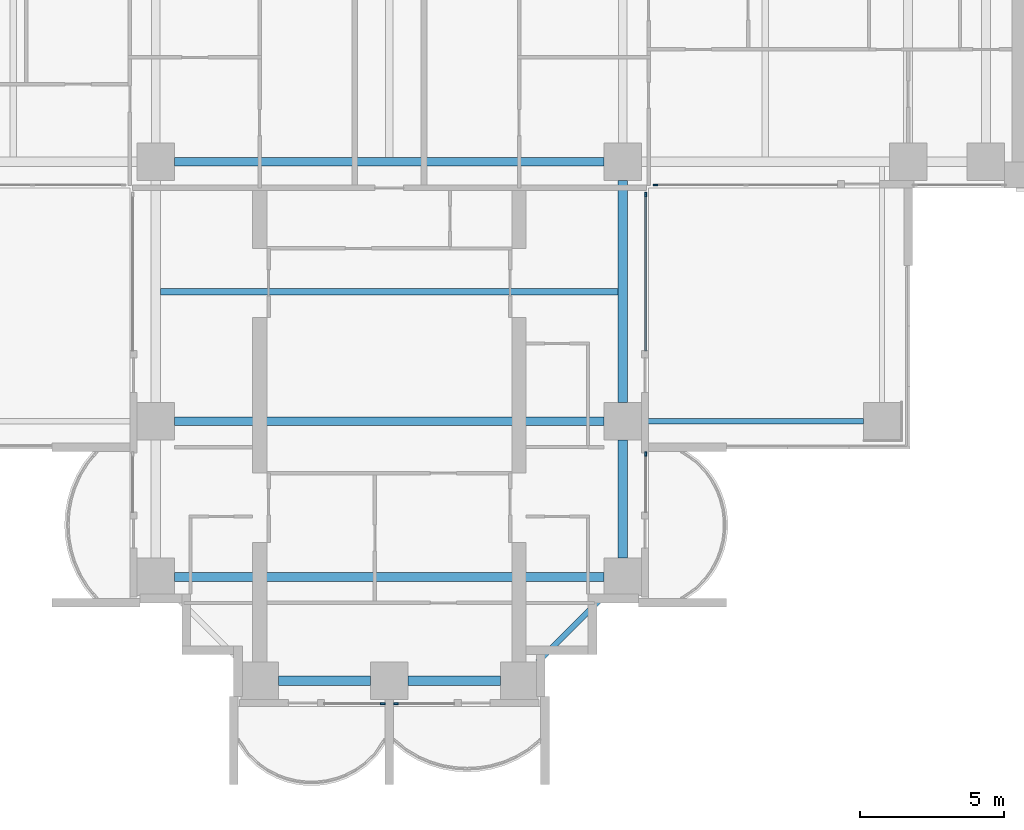
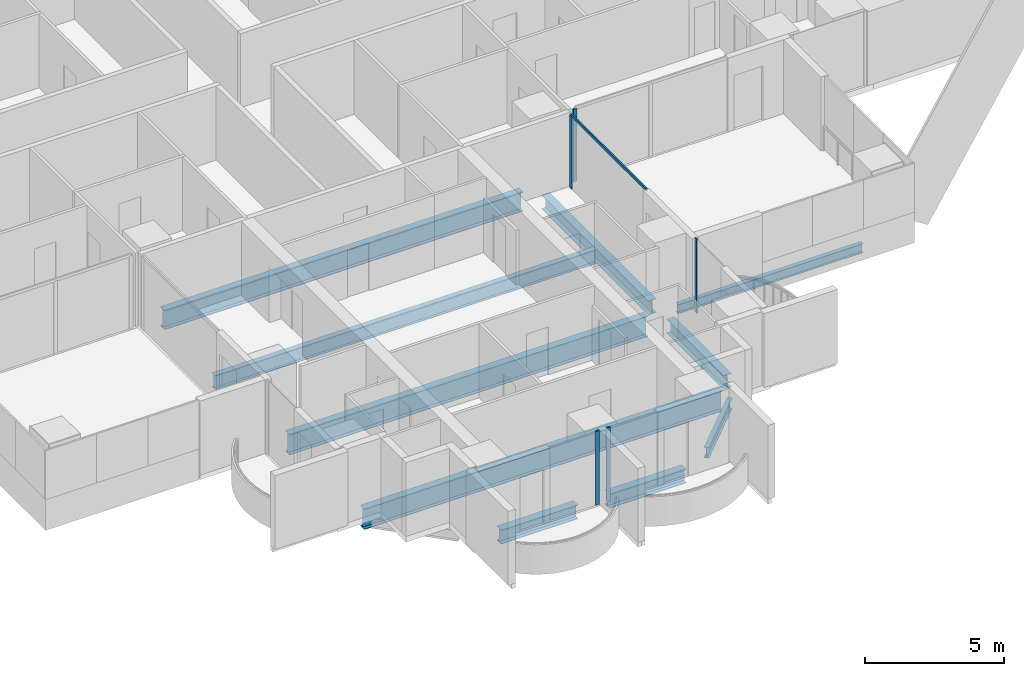
# One storey, part 3 of 23: 10 beams, 6 members, 5 elements without a shape of their own.
"""IFC4 building model written with IfcOpenShell, lengths in metres."""

import ifcopenshell
import ifcopenshell.guid

model = None  # the IFC model being written
_history = None  # IfcOwnerHistory: only IFC2X3 demands one
_inside = {}  # id of a spatial element -> (the spatial element, [elements in it])
_under = {}  # id of a project, library or spatial element -> (it, [spatial elements below it])
_declared = {}  # id of a project -> (the project, [libraries it declares])
_typed = {}  # id of a type object -> (the type object, [elements of that type])
_made_of = {}  # id of a material, layer set ... -> (it, [elements and type objects made of it])


def new_model(schema):
    """Start an empty IFC model of exactly this schema.

    Asked for "IFC4X3", IfcOpenShell would pick the latest addendum, in which some entities
    have other attributes; the version numbers below select the first issue.
    IFC2X3 requires an IfcOwnerHistory on every rooted entity: one is made here for all.
    """
    global model, _history
    if schema == "IFC4X3":
        model = ifcopenshell.file(schema_version=(4, 3, 0, 0))
    else:
        model = ifcopenshell.file(schema=schema)
    _inside.clear()
    _under.clear()
    _declared.clear()
    _typed.clear()
    _made_of.clear()
    _history = None
    if model.schema == "IFC2X3":
        org = make("IfcOrganization", Name="unknown")
        user = make(
            "IfcPersonAndOrganization",
            ThePerson=make("IfcPerson", FamilyName="unknown"),
            TheOrganization=org,
        )
        app = make(
            "IfcApplication",
            ApplicationDeveloper=org,
            Version="unknown",
            ApplicationFullName="unknown",
            ApplicationIdentifier="unknown",
        )
        _history = make(
            "IfcOwnerHistory",
            OwningUser=user,
            OwningApplication=app,
            ChangeAction="ADDED",
            CreationDate=0,
        )
    return model


def make(cls, **values):
    """One entity of the class cls with the attributes given. An attribute that is None is left unset."""
    return model.create_entity(
        cls, **{name: value for name, value in values.items() if value is not None}
    )


def rooted(cls, **values):
    """An entity with a GlobalId (a new one), such as an element, a storey or a relation."""
    return make(cls, GlobalId=ifcopenshell.guid.new(), OwnerHistory=_history, **values)


def si_unit(unit_type, name, prefix=None):
    """IfcSIUnit, for example si_unit("LENGTHUNIT", "METRE", prefix="MILLI")."""
    return make("IfcSIUnit", UnitType=unit_type, Prefix=prefix, Name=name)


def assignment(units):
    """IfcUnitAssignment: the units of a project."""
    return None if units is None else make("IfcUnitAssignment", Units=units)


def point(xyz):
    """IfcCartesianPoint."""
    return None if xyz is None else make("IfcCartesianPoint", Coordinates=xyz)


def direction(xyz):
    """IfcDirection."""
    return None if xyz is None else make("IfcDirection", DirectionRatios=xyz)


def frame(location, z_axis=None, x_axis=None):
    """IfcAxis2Placement3D, a coordinate frame: its origin and axes. An axis left out is left unset."""
    return make(
        "IfcAxis2Placement3D",
        Location=point(location),
        Axis=direction(z_axis),
        RefDirection=direction(x_axis),
    )


def frame_2d(location, x_axis=None):
    """IfcAxis2Placement2D, a coordinate frame in the plane: its origin and x axis."""
    return make(
        "IfcAxis2Placement2D", Location=point(location), RefDirection=direction(x_axis)
    )


def origin():
    """The frame at (0, 0, 0) with its axes left unset."""
    return frame((0.0, 0.0, 0.0))


def origin_2d():
    """The frame at (0, 0) in the plane with its x axis left unset."""
    return frame_2d((0.0, 0.0))


def place(relative_to, where):
    """IfcLocalPlacement: puts the frame where relative to a parent placement (None: the world)."""
    return make(
        "IfcLocalPlacement", PlacementRelTo=relative_to, RelativePlacement=where
    )


def context(
    kind, dimensions, precision=None, world=None, true_north=None, identifier=None
):
    """IfcGeometricRepresentationContext, for example the 3D "Model" context."""
    return make(
        "IfcGeometricRepresentationContext",
        ContextIdentifier=identifier,
        ContextType=kind,
        CoordinateSpaceDimension=dimensions,
        Precision=precision,
        WorldCoordinateSystem=world,
        TrueNorth=true_north,
    )


def subcontext(parent, identifier, kind, view, scale=None):
    """IfcGeometricRepresentationSubContext, for example "Body" below "Model"."""
    return make(
        "IfcGeometricRepresentationSubContext",
        ContextIdentifier=identifier,
        ContextType=kind,
        ParentContext=parent,
        TargetScale=scale,
        TargetView=view,
    )


def project(units=None, contexts=None):
    """IfcProject with its units and contexts."""
    return rooted(
        "IfcProject",
        Name="project",
        RepresentationContexts=contexts,
        UnitsInContext=assignment(units),
    )


def spatial(cls, under=None, at=None, **own):
    """A site, building, storey or space (cls), placed at a placement, below another one or the project."""
    s = rooted(cls, ObjectPlacement=at, **own)
    if under is not None:
        _under.setdefault(under.id(), (under, []))[1].append(s)
    return s


def profile(cls, at=None, kind="AREA", **sizes):
    """A parametric profile (cls). Its sizes go by their IFC names, for example OverallWidth=200.0."""
    return make(cls, ProfileType=kind, Position=at, **sizes)


def rectangle(**sizes):
    """IfcRectangleProfileDef."""
    return profile("IfcRectangleProfileDef", **sizes)


def i_section(**sizes):
    """IfcIShapeProfileDef."""
    return profile("IfcIShapeProfileDef", **sizes)


def extrude(swept, where, along, depth):
    """IfcExtrudedAreaSolid: the profile swept, set in the frame where, extruded along a direction by depth."""
    return make(
        "IfcExtrudedAreaSolid",
        SweptArea=swept,
        Position=where,
        ExtrudedDirection=direction(along),
        Depth=depth,
    )


def shape(context_of_items, identifier, shape_type, items):
    """IfcShapeRepresentation: the items that make up one representation, for example the "Body"."""
    return make(
        "IfcShapeRepresentation",
        ContextOfItems=context_of_items,
        RepresentationIdentifier=identifier,
        RepresentationType=shape_type,
        Items=items,
    )


def material(Name=None, Category=None):
    """IfcMaterial."""
    return make("IfcMaterial", Name=Name, Category=Category)


def material_profile(
    of_material, cross_section, Name=None, Category=None, Priority=None
):
    """IfcMaterialProfile: a cross section and its material."""
    return make(
        "IfcMaterialProfile",
        Name=Name,
        Material=of_material,
        Profile=cross_section,
        Priority=Priority,
        Category=Category,
    )


def profile_set(profiles, Name=None, composite=None):
    """IfcMaterialProfileSet."""
    return make(
        "IfcMaterialProfileSet",
        Name=Name,
        MaterialProfiles=profiles,
        CompositeProfile=composite,
    )


def made_of(thing, what):
    """Note that an element or type object is made of a material, layer set ...; save() writes the relation."""
    if what is not None:
        _made_of.setdefault(what.id(), (what, []))[1].append(thing)
    return thing


def type_object(cls, material=None, **own):
    """A type object (cls), such as IfcWallType, which elements share."""
    return made_of(rooted(cls, **own), material)


def element(
    cls,
    number,
    at=None,
    inside=None,
    cuts=None,
    type_object=None,
    material=None,
    context=None,
    identifier="Body",
    shape_type=None,
    held_by="IfcProductDefinitionShape",
    body=None,
    shapes=None,
    **own,
):
    """One element of the class cls, such as IfcWall. Its Tag is "e" and its number.

    at: its placement. inside: the storey or other place that contains it. cuts: it is an
    opening in that element (IfcRelVoidsElement). A single representation is given by context,
    identifier, shape_type and body (its items); several are given by shapes. held_by: the class
    of the entity that holds the representations. save() writes the other relations.
    """
    e = rooted(cls, Tag="e%d" % number, ObjectPlacement=at, **own)
    if body is not None:
        shapes = [shape(context, identifier, shape_type, body)]
    if shapes is not None:
        e.Representation = make(held_by, Representations=shapes)
    if inside is not None:
        _inside.setdefault(inside.id(), (inside, []))[1].append(e)
    if cuts is not None:
        rooted(
            "IfcRelVoidsElement", RelatingBuildingElement=cuts, RelatedOpeningElement=e
        )
    if type_object is not None:
        _typed.setdefault(type_object.id(), (type_object, []))[1].append(e)
    return made_of(e, material)


def aggregate(whole, parts):
    """IfcRelAggregates: a whole, such as a stair, and the parts it consists of."""
    return rooted("IfcRelAggregates", RelatingObject=whole, RelatedObjects=parts)


def save(model, path):
    """Write the relations noted so far, then the file.

    IfcRelAggregates (storeys below a building ...), IfcRelContainedInSpatialStructure (elements
    in a storey), IfcRelDefinesByType, IfcRelAssociatesMaterial and IfcRelDeclares: one each for
    every whole, place, type object, material and project.
    """
    for whole, parts in _under.values():
        aggregate(whole, parts)
    for where, things in _inside.values():
        rooted(
            "IfcRelContainedInSpatialStructure",
            RelatedElements=things,
            RelatingStructure=where,
        )
    for kind, things in _typed.values():
        rooted("IfcRelDefinesByType", RelatedObjects=things, RelatingType=kind)
    for what, things in _made_of.values():
        rooted("IfcRelAssociatesMaterial", RelatedObjects=things, RelatingMaterial=what)
    for by, libraries in _declared.values():
        rooted("IfcRelDeclares", RelatingContext=by, RelatedDefinitions=libraries)
    model.write(path)


model = new_model("IFC4")

# Units and contexts
model_context = context("Model", 3, precision=1e-05, world=origin(), true_north=direction((0.0, 1.0)))
body_context = subcontext(model_context, "Body", "Model", "MODEL_VIEW")
ifc_project = project(units=[si_unit("LENGTHUNIT", "METRE"), si_unit("AREAUNIT", "SQUARE_METRE"), si_unit("VOLUMEUNIT", "CUBIC_METRE"), si_unit("PLANEANGLEUNIT", "RADIAN"), si_unit("MASSUNIT", "GRAM", prefix="KILO")], contexts=[model_context])

# Site, building, storey
site_placement = place(None, origin())
site = spatial("IfcSite", under=ifc_project, at=site_placement, CompositionType="ELEMENT")
building_placement = place(site_placement, origin())
building = spatial("IfcBuilding", under=site, at=building_placement, Name="Perihelion Cross Residences", CompositionType="ELEMENT")
storey_placement = place(building_placement, frame((0.0, 0.0, 85.5)))
storey = spatial("IfcBuildingStorey", under=building, at=storey_placement, Name="L19", CompositionType="ELEMENT", Elevation=85.5)

# Curtain wall, member
ifc_material_1 = material(Name="Bronze anodised aluminium, tinted glazing", Category="aluminium")
curtain_wall_type = type_object("IfcCurtainWallType", Name="CW1", PredefinedType="NOTDEFINED", material=ifc_material_1)
curtain_wall_1_placement = place(storey_placement, origin())
curtain_wall_1 = element("IfcCurtainWall", 1, at=curtain_wall_1_placement, inside=storey, type_object=curtain_wall_type, Name="Curtain wall CW1 L19 south tip south bay 1", PredefinedType="NOTDEFINED")
ifc_material_2 = material(Name="Bronze anodised aluminium", Category="aluminium")
ifc_material_profile_1 = material_profile(ifc_material_2, rectangle(XDim=0.06005859375, YDim=0.159912109375, at=origin_2d()), Name="CW1 mullion")
ifc_profile_set_1 = profile_set([ifc_material_profile_1], Name="Bronze anodised aluminium")
member_type_1 = type_object("IfcMemberType", Name="CW1 mullion", PredefinedType="MULLION", material=ifc_profile_set_1)
member_1_placement = place(storey_placement, frame((-0.22998046875, -26.89990234375, 0.0), z_axis=(0.0, 0.0, 1.0), x_axis=(0.0, 1.0, 0.0)))
member_1 = element("IfcMember", 2, at=member_1_placement, type_object=member_type_1, Name="CW1 mullion 2", PredefinedType="MULLION", context=body_context, shape_type="SweptSolid", body=[
    extrude(rectangle(XDim=0.06005859375, YDim=0.159912109375, at=origin_2d()), origin(), (0.0, 0.0, 1.0), 3.25),
])
aggregate(curtain_wall_1, [member_1])

curtain_wall_2_placement = place(storey_placement, origin())
curtain_wall_2 = element("IfcCurtainWall", 3, at=curtain_wall_2_placement, inside=storey, type_object=curtain_wall_type, Name="Curtain wall CW1 L19 south tip south bay 2", PredefinedType="NOTDEFINED")
member_2_placement = place(storey_placement, frame((0.22998046875, -26.89990234375, 0.0), z_axis=(0.0, 0.0, 1.0), x_axis=(0.0, 1.0, 0.0)))
member_2 = element("IfcMember", 4, at=member_2_placement, type_object=member_type_1, Name="CW1 mullion 1", PredefinedType="MULLION", context=body_context, shape_type="SweptSolid", body=[
    extrude(rectangle(XDim=0.06005859375, YDim=0.159912109375, at=origin_2d()), origin(), (0.0, 0.0, 1.0), 3.25),
])
aggregate(curtain_wall_2, [member_2])

curtain_wall_3_placement = place(storey_placement, origin())
curtain_wall_3 = element("IfcCurtainWall", 5, at=curtain_wall_3_placement, inside=storey, type_object=curtain_wall_type, Name="Curtain wall CW1 L19 south side east bay 1", PredefinedType="NOTDEFINED")
member_3_placement = place(storey_placement, frame((8.89990234375, -18.22998046875, 0.0), z_axis=(0.0, 0.0, 1.0), x_axis=(-1.0, 0.0, 0.0)))
member_3 = element("IfcMember", 6, at=member_3_placement, type_object=member_type_1, Name="CW1 mullion 2", PredefinedType="MULLION", context=body_context, shape_type="SweptSolid", body=[
    extrude(rectangle(XDim=0.06005859375, YDim=0.159912109375, at=origin_2d()), origin(), (0.0, 0.0, 1.0), 3.25),
])
aggregate(curtain_wall_3, [member_3])

curtain_wall_4_placement = place(storey_placement, origin())
curtain_wall_4 = element("IfcCurtainWall", 7, at=curtain_wall_4_placement, inside=storey, type_object=curtain_wall_type, Name="Curtain wall CW1 L19 south side east bay 2", PredefinedType="NOTDEFINED")
member_4_placement = place(storey_placement, frame((8.89990234375, -9.22998046875, 0.0), z_axis=(0.0, 0.0, 1.0), x_axis=(-1.0, 0.0, 0.0)))
member_4 = element("IfcMember", 8, at=member_4_placement, type_object=member_type_1, Name="CW1 mullion 2", PredefinedType="MULLION", context=body_context, shape_type="SweptSolid", body=[
    extrude(rectangle(XDim=0.06005859375, YDim=0.159912109375, at=origin_2d()), origin(), (0.0, 0.0, 1.0), 3.18994140625),
])

curtain_wall_5_placement = place(storey_placement, origin())
curtain_wall_5 = element("IfcCurtainWall", 9, at=curtain_wall_5_placement, inside=storey, type_object=curtain_wall_type, Name="Curtain wall CW1 L19 east side south bay 1", PredefinedType="NOTDEFINED")
member_5_placement = place(storey_placement, frame((9.22998046875, -8.89990234375, 0.0), z_axis=(0.0, 0.0, 1.0), x_axis=(0.0, 1.0, 0.0)))
member_5 = element("IfcMember", 10, at=member_5_placement, type_object=member_type_1, Name="CW1 mullion 1", PredefinedType="MULLION", context=body_context, shape_type="SweptSolid", body=[
    extrude(rectangle(XDim=0.06005859375, YDim=0.159912109375, at=origin_2d()), origin(), (0.0, 0.0, 1.0), 3.18994140625),
])
aggregate(curtain_wall_5, [member_5])

# Member
ifc_material_3 = material(Name="Bronze anodised aluminium", Category="aluminium")
ifc_material_profile_2 = material_profile(ifc_material_3, rectangle(XDim=0.06005859375, YDim=0.1201171875, at=origin_2d()), Name="CW1 transom")
ifc_profile_set_2 = profile_set([ifc_material_profile_2], Name="Bronze anodised aluminium")
member_type_2 = type_object("IfcMemberType", Name="CW1 transom", PredefinedType="USERDEFINED", material=ifc_profile_set_2)
member_6_placement = place(storey_placement, frame((8.89990234375, -14.64990234375, 3.219970703125), z_axis=(0.0, 1.0, 0.0), x_axis=(-1.0, 0.0, 0.0)))
member_6 = element("IfcMember", 11, at=member_6_placement, type_object=member_type_2, Name="CW1 head transom", ObjectType="TRANSOM", PredefinedType="USERDEFINED", context=body_context, shape_type="SweptSolid", body=[
    extrude(rectangle(XDim=0.06005859375, YDim=0.1201171875, at=origin_2d()), origin(), (0.0, 0.0, 1.0), 5.419921875),
])

aggregate(curtain_wall_4, [member_4, member_6])

# Beams
ifc_material_4 = material(Name="Steel S355", Category="steel")
ifc_material_profile_3 = material_profile(ifc_material_4, i_section(OverallWidth=0.177978515625, OverallDepth=0.406005859375, WebThickness=0.0078125, FlangeThickness=0.0126953125, at=origin_2d()), Name="W410x60")
ifc_profile_set_3 = profile_set([ifc_material_profile_3], Name="Steel S355")
beam_type_1 = type_object("IfcBeamType", Name="Core edge beam W410x60", PredefinedType="BEAM", material=ifc_profile_set_3)
beam_1_placement = place(storey_placement, frame((8.75, -17.10009765625, -0.452880859375), z_axis=(1.0, 0.0, 0.0), x_axis=(0.0, 1.0, 0.0)))
element("IfcBeam", 12, at=beam_1_placement, inside=storey, type_object=beam_type_1, Name="Core edge beam TB2 L19 corner no. 6", PredefinedType="BEAM", context=body_context, shape_type="SweptSolid", body=[
    extrude(i_section(OverallWidth=0.177978515625, OverallDepth=0.406005859375, WebThickness=0.0078125, FlangeThickness=0.0126953125, at=origin_2d()), origin(), (0.0, 0.0, 1.0), 7.699951171875),
])
ifc_material_5 = material(Name="Steel S355", Category="steel")
ifc_material_profile_4 = material_profile(ifc_material_5, i_section(OverallWidth=0.324951171875, OverallDepth=0.616943359375, WebThickness=0.013916015625, FlangeThickness=0.021484375, at=origin_2d()), Name="W610x174")
ifc_profile_set_4 = profile_set([ifc_material_profile_4], Name="Steel S355")
beam_type_2 = type_object("IfcBeamType", Name="Edge beam W610x174", PredefinedType="SPANDREL", material=ifc_profile_set_4)
for number, where, z_axis, x_axis, name in (
    (13, (-3.85009765625, -26.10009765625, -0.55859375), (1.0, 0.0, 0.0), (0.0, 1.0, 0.0), "Edge beam SB2 L19 no. 4"),
    (14, (0.64990234375, -26.10009765625, -0.55859375), (1.0, 0.0, 0.0), (0.0, 1.0, 0.0), "Edge beam SB2 L19 no. 10"),
):
    element("IfcBeam", number, at=place(storey_placement, frame(where, z_axis=z_axis, x_axis=x_axis)), inside=storey, type_object=beam_type_2, Name=name, PredefinedType="SPANDREL", context=body_context, shape_type="SweptSolid", body=[
        extrude(i_section(OverallWidth=0.324951171875, OverallDepth=0.616943359375, WebThickness=0.013916015625, FlangeThickness=0.021484375, at=origin_2d()), origin(), (0.0, 0.0, 1.0), 3.2001953125),
    ])
beam_2_placement = place(storey_placement, frame((8.10009765625, -21.85009765625, -0.55859375), z_axis=(0.0, 1.0, 0.0), x_axis=(-1.0, 0.0, 0.0)))
element("IfcBeam", 15, at=beam_2_placement, inside=storey, type_object=beam_type_2, Name="Edge beam SB2 L19 no. 17", PredefinedType="SPANDREL", context=body_context, shape_type="SweptSolid", body=[
    extrude(i_section(OverallWidth=0.324951171875, OverallDepth=0.616943359375, WebThickness=0.013916015625, FlangeThickness=0.021484375, at=origin_2d()), origin(), (0.0, 0.0, 1.0), 4.10009765625),
])
beam_3_placement = place(storey_placement, frame((8.10009765625, -16.449951171875, -0.55859375), z_axis=(0.0, 1.0, 0.0), x_axis=(-1.0, 0.0, 0.0)))
element("IfcBeam", 16, at=beam_3_placement, inside=storey, type_object=beam_type_2, Name="Edge beam SB2 L19 no. 16", PredefinedType="SPANDREL", context=body_context, shape_type="SweptSolid", body=[
    extrude(i_section(OverallWidth=0.324951171875, OverallDepth=0.616943359375, WebThickness=0.013916015625, FlangeThickness=0.021484375, at=origin_2d()), origin(), (0.0, 0.0, 1.0), 7.699951171875),
])
ifc_material_6 = material(Name="Steel S355", Category="steel")
ifc_material_profile_5 = material_profile(ifc_material_6, i_section(OverallWidth=0.304931640625, OverallDepth=0.904052734375, WebThickness=0.01513671875, FlangeThickness=0.02001953125, at=origin_2d()), Name="W920x201")
ifc_profile_set_5 = profile_set([ifc_material_profile_5], Name="Steel S355")
beam_type_3 = type_object("IfcBeamType", Name="Floor girder W920x201", PredefinedType="BEAM", material=ifc_profile_set_5)
for number, where, z_axis, x_axis, name in (
    (17, (-7.449951171875, -17.10009765625, -0.701904296875), (1.0, 0.0, 0.0), (0.0, 1.0, 0.0), "Girder G2 L19 no. 3"),
    (18, (-7.449951171875, -22.5, -0.701904296875), (1.0, 0.0, 0.0), (0.0, 1.0, 0.0), "Girder G2 L19 no. 4"),
):
    element("IfcBeam", number, at=place(storey_placement, frame(where, z_axis=z_axis, x_axis=x_axis)), inside=storey, type_object=beam_type_3, Name=name, PredefinedType="BEAM", context=body_context, shape_type="SweptSolid", body=[
        extrude(i_section(OverallWidth=0.304931640625, OverallDepth=0.904052734375, WebThickness=0.01513671875, FlangeThickness=0.02001953125, at=origin_2d()), origin(), (0.0, 0.0, 1.0), 14.89990234375),
    ])
ifc_material_7 = material(Name="Steel S355", Category="steel")
ifc_material_profile_6 = material_profile(ifc_material_7, i_section(OverallWidth=0.22900390625, OverallDepth=0.612060546875, WebThickness=0.011962890625, FlangeThickness=0.01953125, at=origin_2d()), Name="W610x125")
ifc_profile_set_6 = profile_set([ifc_material_profile_6], Name="Steel S355")
beam_type_4 = type_object("IfcBeamType", Name="Floor joist W610x125", PredefinedType="JOIST", material=ifc_profile_set_6)
beam_4_placement = place(storey_placement, frame((-7.9375, -12.60009765625, -0.555908203125), z_axis=(1.0, 0.0, 0.0), x_axis=(0.0, 1.0, 0.0)))
element("IfcBeam", 19, at=beam_4_placement, inside=storey, type_object=beam_type_4, Name="Joist J3 L19 no. 3", PredefinedType="JOIST", context=body_context, shape_type="SweptSolid", body=[
    extrude(i_section(OverallWidth=0.22900390625, OverallDepth=0.612060546875, WebThickness=0.011962890625, FlangeThickness=0.01953125, at=origin_2d()), origin(), (0.0, 0.0, 1.0), 15.875),
])
ifc_material_8 = material(Name="Steel S355", Category="steel")
ifc_material_profile_7 = material_profile(ifc_material_8, i_section(OverallWidth=0.2919921875, OverallDepth=0.85888671875, WebThickness=0.01708984375, FlangeThickness=0.031005859375, at=origin_2d()), Name="W840x251")
ifc_profile_set_7 = profile_set([ifc_material_profile_7], Name="Steel S355")
beam_type_5 = type_object("IfcBeamType", Name="Hub ring girder W840x251", PredefinedType="BEAM", material=ifc_profile_set_7)
beam_5_placement = place(storey_placement, frame((-7.449951171875, -8.10009765625, -0.679443359375), z_axis=(1.0, 0.0, 0.0), x_axis=(0.0, 1.0, 0.0)))
element("IfcBeam", 20, at=beam_5_placement, inside=storey, type_object=beam_type_5, Name="Hub ring girder RG2 L19 no. 1", PredefinedType="BEAM", context=body_context, shape_type="SweptSolid", body=[
    extrude(i_section(OverallWidth=0.2919921875, OverallDepth=0.85888671875, WebThickness=0.01708984375, FlangeThickness=0.031005859375, at=origin_2d()), origin(), (0.0, 0.0, 1.0), 14.89990234375),
])
ifc_material_9 = material(Name="Steel S355", Category="steel")
ifc_material_profile_8 = material_profile(ifc_material_9, i_section(OverallWidth=0.194091796875, OverallDepth=0.469970703125, WebThickness=0.0126953125, FlangeThickness=0.0205078125, at=origin_2d()), Name="W460x106")
ifc_profile_set_8 = profile_set([ifc_material_profile_8], Name="Steel S355")
beam_type_6 = type_object("IfcBeamType", Name="Serration edge beam W460x106", PredefinedType="BEAM", material=ifc_profile_set_8)
beam_6_placement = place(storey_placement, frame((5.14990234375, -25.449951171875, -0.485107421875), z_axis=(0.707106781187, 0.707106781187, 0.0), x_axis=(-0.707106781187, 0.707106781187, 0.0)))
element("IfcBeam", 21, at=beam_6_placement, inside=storey, type_object=beam_type_6, Name="Serration edge beam EB2 L19 no. 3", PredefinedType="BEAM", context=body_context, shape_type="SweptSolid", body=[
    extrude(i_section(OverallWidth=0.194091796875, OverallDepth=0.469970703125, WebThickness=0.0126953125, FlangeThickness=0.0205078125, at=origin_2d()), origin(), (0.0, 0.0, 1.0), 3.252685546875),
])

save(model, "model.ifc")
